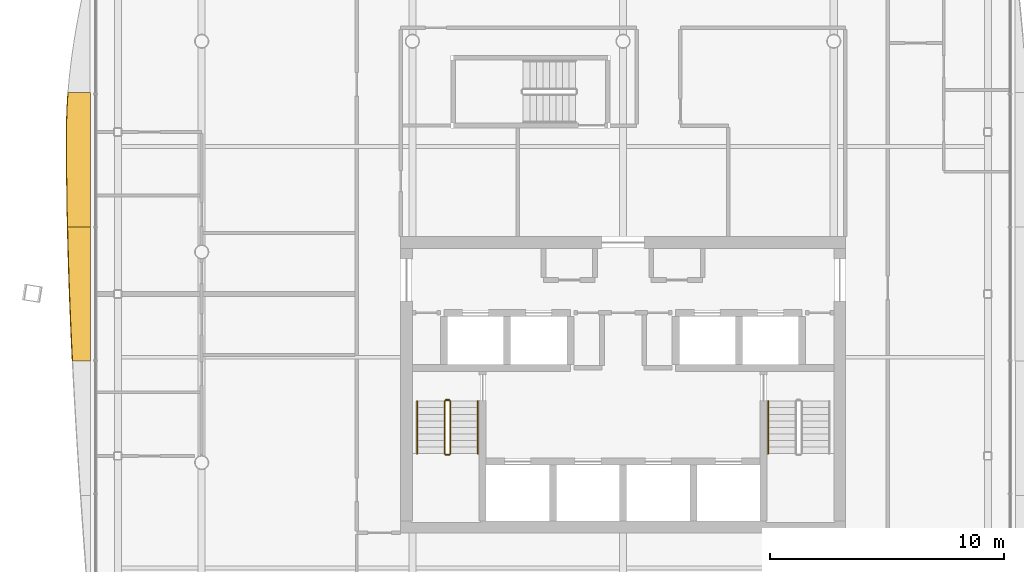
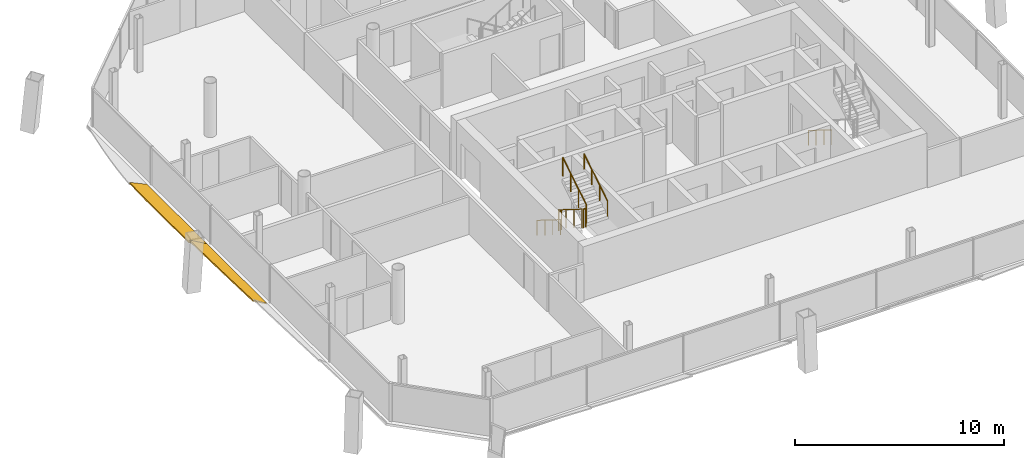
# One storey, part 16 of 19: 7 railings, 2 shading devices.
"""IFC4 building model written with IfcOpenShell, lengths in metres."""

from ifc_helpers import new_model, si_unit, direction, frame, origin, origin_2d, place, context, subcontext, project, spatial, polyline, circle, outline, extrude, material, layer, layer_set, type_object, element, save


model = new_model("IFC4")

# Units and contexts
model_context = context("Model", 3, precision=1e-05, world=origin(), true_north=direction((0.0, 1.0)))
body_context = subcontext(model_context, "Body", "Model", "MODEL_VIEW")
ifc_project = project(units=[si_unit("LENGTHUNIT", "METRE"), si_unit("AREAUNIT", "SQUARE_METRE"), si_unit("VOLUMEUNIT", "CUBIC_METRE"), si_unit("PLANEANGLEUNIT", "RADIAN"), si_unit("MASSUNIT", "GRAM", prefix="KILO")], contexts=[model_context])

# Site, building, storey
site_placement = place(None, origin())
site = spatial("IfcSite", under=ifc_project, at=site_placement, CompositionType="ELEMENT")
building_placement = place(site_placement, origin())
building = spatial("IfcBuilding", under=site, at=building_placement, Name="Tskaro Facet Tower", CompositionType="ELEMENT")
storey_placement = place(building_placement, frame((0.0, 0.0, 206.85009765625)))
storey = spatial("IfcBuildingStorey", under=building, at=storey_placement, Name="L53", CompositionType="ELEMENT", Elevation=206.85009765625)

# Shading devices
ifc_material_1 = material(Name="Bronze anodised aluminium 6063-T6", Category="aluminium")
ifc_layer = layer(ifc_material_1, 0.06005859375, Name="Bronze anodised aluminium 6063-T6")
ifc_layer_set = layer_set([ifc_layer], Name="Bronze anodised aluminium 6063-T6")
shading_device_type = type_object("IfcShadingDeviceType", Name="Bronze sun blade (FN1)", PredefinedType="USERDEFINED", material=ifc_layer_set)
shading_device_1_placement = place(storey_placement, frame((-22.757568359375, 6.808349609375, 0.05419921875), z_axis=(0.42264541149, -2.35547e-07, 0.906295126405), x_axis=(-9.9553e-08, -1.0, -2.13475e-07)))
element("IfcShadingDevice", 1, at=shading_device_1_placement, inside=storey, type_object=shading_device_type, Name="Fin blade west 2", ObjectType="FIN", PredefinedType="USERDEFINED", context=body_context, shape_type="SweptSolid", body=[
    extrude(outline(polyline([(0.0, 0.0), (5.734619140624842, 0.0), (5.734619140644718, -1.073452454412727), (5.017822265619423, -1.0893961760874458), (4.3007812500144835, -1.1022868902281309), (3.5839843750034746, -1.1120065182911019), (2.8671874999857017, -1.1187763237349542), (2.1503906249646723, -1.1220505947275827), (1.720214843735481, -1.1228175700182825), (1.4335937499995215, -1.1206347226898634), (0.7167968750183428, -1.0976999321126975), (1.7880194423636766e-11, -1.0497506885448613), (0.0, 0.0)])), origin(), (0.0, 0.0, -1.0), 0.06005859375),
])
shading_device_2_placement = place(storey_placement, frame((-22.7529296875, 1.07373046875, 0.0517578125), z_axis=(0.50004428969, 4.697591e-06, 0.865999831597), x_axis=(2.349004e-06, -0.999999999989, 4.068113e-06)))
element("IfcShadingDevice", 2, at=shading_device_2_placement, inside=storey, type_object=shading_device_type, Name="Fin blade west 3", ObjectType="FIN", PredefinedType="USERDEFINED", context=body_context, shape_type="SweptSolid", body=[
    extrude(outline(polyline([(0.0, 0.0), (5.734619140561726, 2.4287056760322584e-21), (5.734619140817609, -0.8821517345159414), (5.017822265412347, -0.9218513350339804), (4.300781249997218, -0.9593712051292567), (3.5839843755562972, -0.9938329053305273), (2.867187500317611, -1.025659287118069), (2.1503906248546456, -1.0546389247517431), (1.4335937497408902, -1.0805603924914118), (0.7167968744028568, -1.103635116077213), (-1.2480166646487451e-11, -1.1234402440288704), (0.0, 0.0)])), origin(), (0.0, 0.0, -1.0), 0.06005859375),
])

# Railings
ifc_material_2 = material(Name="Stainless steel", Category="steel")
railing_type_1 = type_object("IfcRailingType", Name="RL-GUARD-1100", PredefinedType="GUARDRAIL", material=ifc_material_2)
railing_1_placement = place(storey_placement, frame((-7.625, -6.375, 0.1748046875)))
element("IfcRailing", 3, at=railing_1_placement, inside=storey, type_object=railing_type_1, Name="L53 ST-1 stair guard 1", PredefinedType="GUARDRAIL", context=body_context, shape_type="SweptSolid", body=[
    extrude(circle(Radius=0.02392578125, at=origin_2d()), frame((0.0, 0.0, 1.076171875), z_axis=(0.0, -0.847972341737, 0.530040477369), x_axis=(1.0, 0.0, 0.0)), (0.0, 0.0, 1.0), 2.6416015625),
    extrude(circle(Radius=0.02099609375, at=origin_2d()), origin(), (0.0, 0.0, 1.0), 1.052001953125),
    extrude(circle(Radius=0.02099609375, at=origin_2d()), frame((0.0, -0.74658203125, 0.466796875)), (0.0, 0.0, 1.0), 1.052001953125),
    extrude(circle(Radius=0.02099609375, at=origin_2d()), frame((0.0, -1.493408203125, 0.933349609375)), (0.0, 0.0, 1.0), 1.052001953125),
    extrude(circle(Radius=0.02099609375, at=origin_2d()), frame((0.0, -2.239990234375, 1.400146484375)), (0.0, 0.0, 1.0), 1.052001953125),
])
railing_2_placement = place(storey_placement, frame((-7.574951171875, -8.6650390625, 1.574951171875)))
element("IfcRailing", 4, at=railing_2_placement, inside=storey, type_object=railing_type_1, Name="L53 ST-1 stair guard 2", PredefinedType="GUARDRAIL", context=body_context, shape_type="SweptSolid", body=[
    extrude(circle(Radius=0.02392578125, at=origin_2d()), frame((0.0, 0.0, 1.076171875), z_axis=(1.0, 0.0, 0.0), x_axis=(0.0, 1.0, 0.0)), (0.0, 0.0, 1.0), 0.14990234375),
    extrude(circle(Radius=0.02099609375, at=origin_2d()), origin(), (0.0, 0.0, 1.0), 1.052001953125),
    extrude(circle(Radius=0.02099609375, at=origin_2d()), frame((0.14990234375, 0.0, 0.0)), (0.0, 0.0, 1.0), 1.052001953125),
])
railing_3_placement = place(storey_placement, frame((-7.375, -8.614990234375, 1.75)))
element("IfcRailing", 5, at=railing_3_placement, inside=storey, type_object=railing_type_1, Name="L53 ST-1 stair guard 3", PredefinedType="GUARDRAIL", context=body_context, shape_type="SweptSolid", body=[
    extrude(circle(Radius=0.02392578125, at=origin_2d()), frame((0.0, 0.0, 1.076171875), z_axis=(0.0, 0.848013881152, 0.529974015752), x_axis=(-1.0, 0.0, 0.0)), (0.0, 0.0, 1.0), 2.641357421875),
    extrude(circle(Radius=0.02099609375, at=origin_2d()), origin(), (0.0, 0.0, 1.0), 1.052001953125),
    extrude(circle(Radius=0.02099609375, at=origin_2d()), frame((0.0, 0.74658203125, 0.466552734375)), (0.0, 0.0, 1.0), 1.052001953125),
    extrude(circle(Radius=0.02099609375, at=origin_2d()), frame((0.0, 1.493408203125, 0.933349609375)), (0.0, 0.0, 1.0), 1.052001953125),
    extrude(circle(Radius=0.02099609375, at=origin_2d()), frame((0.0, 2.239990234375, 1.39990234375)), (0.0, 0.0, 1.0), 1.052001953125),
])
railing_4_placement = place(storey_placement, frame((-7.574951171875, -6.324951171875, 0.0)))
element("IfcRailing", 6, at=railing_4_placement, inside=storey, type_object=railing_type_1, Name="L53 ST-1 stair guard 4", PredefinedType="GUARDRAIL", context=body_context, shape_type="SweptSolid", body=[
    extrude(circle(Radius=0.02392578125, at=origin_2d()), frame((0.0, 0.0, 1.076171875), z_axis=(1.0, 0.0, 0.0), x_axis=(0.0, 1.0, 0.0)), (0.0, 0.0, 1.0), 0.14990234375),
    extrude(circle(Radius=0.02099609375, at=origin_2d()), origin(), (0.0, 0.0, 1.0), 1.052001953125),
    extrude(circle(Radius=0.02099609375, at=origin_2d()), frame((0.14990234375, 0.0, 0.0)), (0.0, 0.0, 1.0), 1.052001953125),
])
railing_type_2 = type_object("IfcRailingType", Name="RL-HANDRAIL-900", PredefinedType="HANDRAIL", material=ifc_material_2)
railing_5_placement = place(storey_placement, frame((-8.800048828125, -6.375, 0.1748046875)))
element("IfcRailing", 7, at=railing_5_placement, inside=storey, type_object=railing_type_2, Name="L53 ST-1 stair handrail 1", PredefinedType="HANDRAIL", context=body_context, shape_type="SweptSolid", body=[
    extrude(circle(Radius=0.02392578125, at=origin_2d()), frame((0.0, 0.0, 0.8759765625), z_axis=(0.0, -0.847972341737, 0.530040477369), x_axis=(1.0, 0.0, 0.0)), (0.0, 0.0, 1.0), 2.6416015625),
    extrude(circle(Radius=0.02099609375, at=origin_2d()), origin(), (0.0, 0.0, 1.0), 0.851806640625),
    extrude(circle(Radius=0.02099609375, at=origin_2d()), frame((0.0, -0.74658203125, 0.466796875)), (0.0, 0.0, 1.0), 0.851806640625),
    extrude(circle(Radius=0.02099609375, at=origin_2d()), frame((0.0, -1.493408203125, 0.933349609375)), (0.0, 0.0, 1.0), 0.851806640625),
    extrude(circle(Radius=0.02099609375, at=origin_2d()), frame((0.0, -2.239990234375, 1.400146484375)), (0.0, 0.0, 1.0), 0.851806640625),
])
railing_6_placement = place(storey_placement, frame((-6.199951171875, -8.614990234375, 1.75)))
element("IfcRailing", 8, at=railing_6_placement, inside=storey, type_object=railing_type_2, Name="L53 ST-1 stair handrail 2", PredefinedType="HANDRAIL", context=body_context, shape_type="SweptSolid", body=[
    extrude(circle(Radius=0.02392578125, at=origin_2d()), frame((0.0, 0.0, 0.8759765625), z_axis=(0.0, 0.848013881152, 0.529974015752), x_axis=(-1.0, 0.0, 0.0)), (0.0, 0.0, 1.0), 2.641357421875),
    extrude(circle(Radius=0.02099609375, at=origin_2d()), origin(), (0.0, 0.0, 1.0), 0.851806640625),
    extrude(circle(Radius=0.02099609375, at=origin_2d()), frame((0.0, 0.74658203125, 0.466552734375)), (0.0, 0.0, 1.0), 0.851806640625),
    extrude(circle(Radius=0.02099609375, at=origin_2d()), frame((0.0, 1.493408203125, 0.933349609375)), (0.0, 0.0, 1.0), 0.851806640625),
    extrude(circle(Radius=0.02099609375, at=origin_2d()), frame((0.0, 2.239990234375, 1.39990234375)), (0.0, 0.0, 1.0), 0.851806640625),
])
railing_7_placement = place(storey_placement, frame((6.199951171875, -6.375, 0.1748046875)))
element("IfcRailing", 9, at=railing_7_placement, inside=storey, type_object=railing_type_2, Name="L53 ST-2 stair handrail 1", PredefinedType="HANDRAIL", context=body_context, shape_type="SweptSolid", body=[
    extrude(circle(Radius=0.02392578125, at=origin_2d()), frame((0.0, 0.0, 0.8759765625), z_axis=(0.0, -0.847972341737, 0.530040477369), x_axis=(1.0, 0.0, 0.0)), (0.0, 0.0, 1.0), 2.6416015625),
    extrude(circle(Radius=0.02099609375, at=origin_2d()), origin(), (0.0, 0.0, 1.0), 0.851806640625),
    extrude(circle(Radius=0.02099609375, at=origin_2d()), frame((0.0, -0.74658203125, 0.466796875)), (0.0, 0.0, 1.0), 0.851806640625),
    extrude(circle(Radius=0.02099609375, at=origin_2d()), frame((0.0, -1.493408203125, 0.933349609375)), (0.0, 0.0, 1.0), 0.851806640625),
    extrude(circle(Radius=0.02099609375, at=origin_2d()), frame((0.0, -2.239990234375, 1.400146484375)), (0.0, 0.0, 1.0), 0.851806640625),
])

save(model, "model.ifc")
